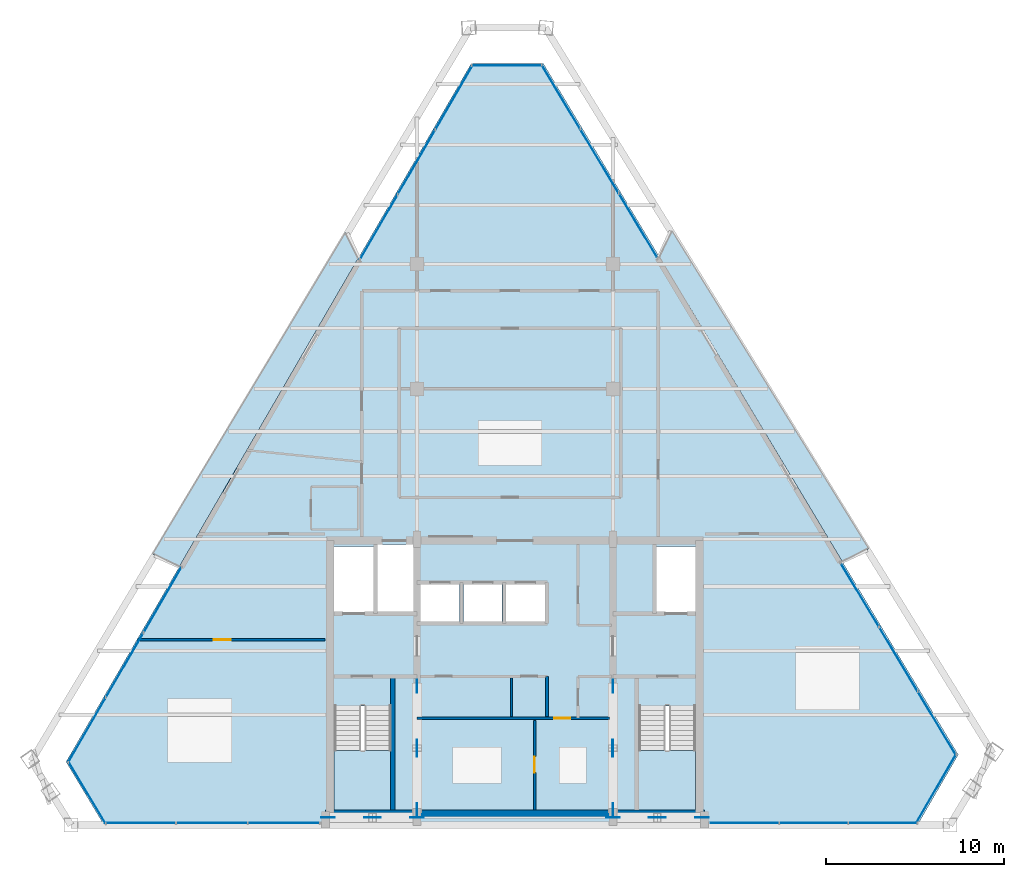
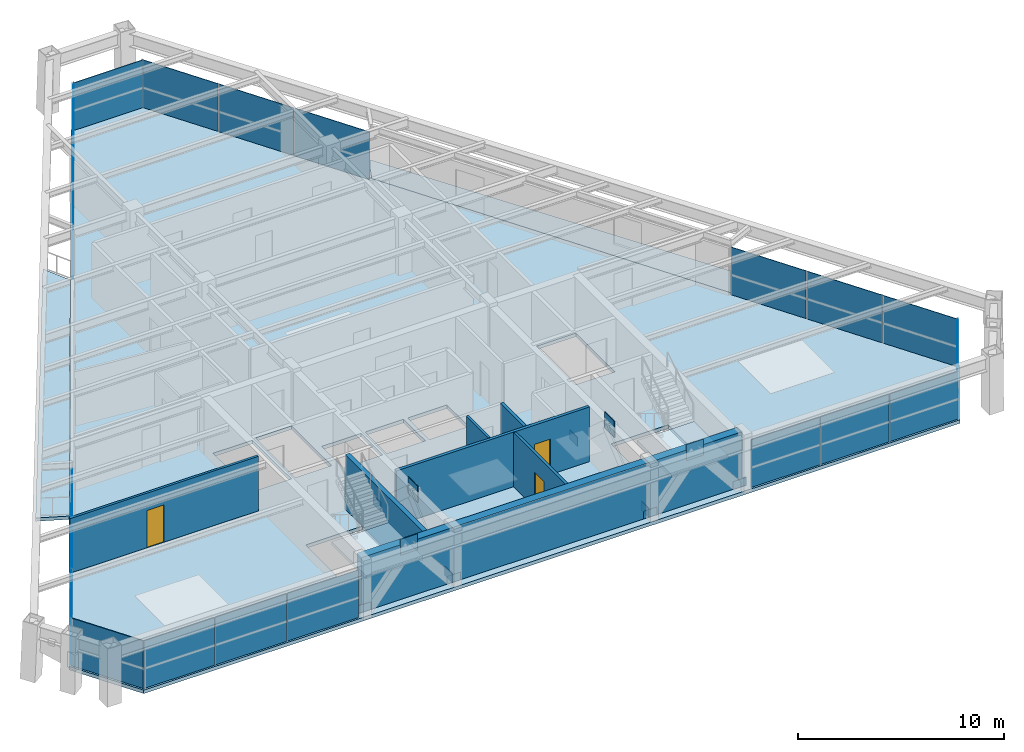
# One storey, part 8 of 13: 33 plates, 7 walls, 5 slabs, 3 doors, 3 openings, 11 elements without a shape of their own.
"""IFC4 building model written with IfcOpenShell, lengths in metres."""

from ifc_helpers import new_model, si_unit, direction, frame, frame_2d, origin, origin_2d, place, context, subcontext, project, spatial, polyline, rectangle, outline, extrude, source, transform, mapped, material, layer, layer_set, type_object, type_shapes, element, fill, aggregate, save


model = new_model("IFC4")

# Units and contexts
model_context = context("Model", 3, precision=1e-05, world=origin(), true_north=direction((0.0, 1.0)))
body_context = subcontext(model_context, "Body", "Model", "MODEL_VIEW")
ifc_project = project(units=[si_unit("LENGTHUNIT", "METRE"), si_unit("AREAUNIT", "SQUARE_METRE"), si_unit("VOLUMEUNIT", "CUBIC_METRE"), si_unit("PLANEANGLEUNIT", "RADIAN"), si_unit("MASSUNIT", "GRAM", prefix="KILO")], contexts=[model_context])

# Site, building, storey
site_placement = place(None, origin())
site = spatial("IfcSite", under=ifc_project, at=site_placement, CompositionType="ELEMENT")
building_placement = place(site_placement, origin())
building = spatial("IfcBuilding", under=site, at=building_placement, Name="Varnakhor Terracotta Tower", CompositionType="ELEMENT")
storey_placement = place(building_placement, frame((0.0, 0.0, 266.10009765625)))
storey = spatial("IfcBuildingStorey", under=building, at=storey_placement, Name="L69", CompositionType="ELEMENT", Elevation=266.10009765625)

# Slab
ifc_material_1 = material(Name="Concrete C40/50", Category="concrete")
ifc_layer_1 = layer(ifc_material_1, 0.2099609375, Name="Concrete C40/50")
ifc_layer_set_1 = layer_set([ifc_layer_1], Name="Concrete C40/50")
slab_type_1 = type_object("IfcSlabType", Name="SLB-HTL-210", PredefinedType="FLOOR", material=ifc_layer_set_1)
slab_1_placement = place(storey_placement, frame((0.0, 0.0, -0.210205078125)))
element("IfcSlab", 1, at=slab_1_placement, inside=storey, type_object=slab_type_1, Name="L69 Structural Floor Slab", PredefinedType="FLOOR", context=body_context, shape_type="SweptSolid", body=[
    extrude(outline(polyline([(-25.20703125, 3.552001953125), (-2.447021484375, 42.78125), (1.588623046875, 42.78125), (24.8974609375, 3.94873046875), (22.6064453125, 0.0), (-23.074951171875, 0.0), (-25.20703125, 3.552001953125)]), holes=[polyline([(-6.949951171875, 0.85009765625), (-6.949951171875, 6.695068359375), (-10.14990234375, 6.695068359375), (-10.14990234375, 0.85009765625), (-6.949951171875, 0.85009765625)]), polyline([(10.14990234375, 0.85009765625), (10.14990234375, 6.695068359375), (6.949951171875, 6.695068359375), (6.949951171875, 0.85009765625), (10.14990234375, 0.85009765625)]), polyline([(-3.10009765625, 11.419921875), (-3.10009765625, 13.52001953125), (-5.300048828125, 13.52001953125), (-5.300048828125, 11.419921875), (-3.10009765625, 11.419921875)]), polyline([(-0.719970703125, 11.419921875), (-0.719970703125, 13.52001953125), (-2.8798828125, 13.52001953125), (-2.8798828125, 11.419921875), (-0.719970703125, 11.419921875)]), polyline([(1.699951171875, 11.419921875), (1.699951171875, 13.52001953125), (-0.5, 13.52001953125), (-0.5, 11.419921875), (1.699951171875, 11.419921875)]), polyline([(-7.949951171875, 11.8798828125), (-7.949951171875, 15.64990234375), (-10.14990234375, 15.64990234375), (-10.14990234375, 11.8798828125), (-7.949951171875, 11.8798828125)]), polyline([(10.14990234375, 11.8798828125), (10.14990234375, 15.64990234375), (7.949951171875, 15.64990234375), (7.949951171875, 11.8798828125), (10.14990234375, 11.8798828125)]), polyline([(-5.699951171875, 11.8798828125), (-5.699951171875, 15.75), (-7.72998046875, 15.75), (-7.72998046875, 11.8798828125), (-5.699951171875, 11.8798828125)])]), origin(), (0.0, 0.0, 1.0), 0.210205078125),
])

# Stair, slab
stair_type = type_object("IfcStairType", Name="STR-CORE-HOTEL-1500", PredefinedType="HALF_TURN_STAIR", material=ifc_material_1)
stair_1_placement = place(storey_placement, origin())
stair_1 = element("IfcStair", 2, at=stair_1_placement, inside=storey, type_object=stair_type, Name="L69 Core Exit Stair ST-1", PredefinedType="HALF_TURN_STAIR")
ifc_layer_2 = layer(ifc_material_1, 0.179931640625, Name="Concrete C40/50")
ifc_layer_set_2 = layer_set([ifc_layer_2], Name="Concrete C40/50")
slab_type_2 = type_object("IfcSlabType", Name="SLB-LANDING-180", PredefinedType="LANDING", material=ifc_layer_set_2)
slab_2_placement = place(storey_placement, frame((0.0, 0.0, 1.52490234375)))
slab_2 = element("IfcSlab", 3, at=slab_2_placement, type_object=slab_type_2, Name="ST-1 landing 1", PredefinedType="LANDING", context=body_context, shape_type="SweptSolid", body=[
    extrude(outline(polyline([(-10.14990234375, 4.18994140625), (-10.14990234375, 0.85009765625), (-6.949951171875, 0.85009765625), (-6.949951171875, 4.18994140625), (-10.14990234375, 4.18994140625)])), origin(), (0.0, 0.0, 1.0), 0.199951171875),
])
aggregate(stair_1, [slab_2])

stair_2_placement = place(storey_placement, origin())
stair_2 = element("IfcStair", 4, at=stair_2_placement, inside=storey, type_object=stair_type, Name="L69 Core Exit Stair ST-2", PredefinedType="HALF_TURN_STAIR")
slab_3_placement = place(storey_placement, frame((0.0, 0.0, 1.52490234375)))
slab_3 = element("IfcSlab", 5, at=slab_3_placement, type_object=slab_type_2, Name="ST-2 landing 1", PredefinedType="LANDING", context=body_context, shape_type="SweptSolid", body=[
    extrude(outline(polyline([(6.949951171875, 4.18994140625), (6.949951171875, 0.85009765625), (10.14990234375, 0.85009765625), (10.14990234375, 4.18994140625), (6.949951171875, 4.18994140625)])), origin(), (0.0, 0.0, 1.0), 0.199951171875),
])
aggregate(stair_2, [slab_3])

# Slabs
ifc_layer_3 = layer(ifc_material_1, 0.195068359375, Name="Concrete C40/50")
ifc_layer_set_3 = layer_set([ifc_layer_3], Name="Concrete C40/50")
slab_type_3 = type_object("IfcSlabType", Name="SLB-LOGGIA-EXT-195", PredefinedType="FLOOR", material=ifc_layer_set_3)
slab_4_placement = place(storey_placement, frame((0.0, 0.0, -0.195068359375)))
element("IfcSlab", 6, at=slab_4_placement, inside=storey, type_object=slab_type_3, Name="L69 E Recessed Outdoor Loggia Slab", PredefinedType="FLOOR", context=body_context, shape_type="SweptSolid", body=[
    extrude(outline(polyline([(8.795654296875, 33.39306640625), (19.865234375, 15.51171875), (18.37109375, 14.822021484375), (8.115234375, 31.908203125), (8.795654296875, 33.39306640625)])), origin(), (0.0, 0.0, 1.0), 0.195068359375),
])
slab_5_placement = place(storey_placement, frame((0.0, 0.0, -0.195068359375)))
element("IfcSlab", 7, at=slab_5_placement, inside=storey, type_object=slab_type_3, Name="L69 W Recessed Outdoor Loggia Slab", PredefinedType="FLOOR", context=body_context, shape_type="SweptSolid", body=[
    extrude(outline(polyline([(-20.342041015625, 15.212646484375), (-9.505615234375, 33.27685546875), (-8.81982421875, 31.797119140625), (-18.834228515625, 14.5361328125), (-20.342041015625, 15.212646484375)])), origin(), (0.0, 0.0, 1.0), 0.195068359375),
])

# Plates
ifc_material_2 = material(Name="Steel S460", Category="steel")
ifc_layer_4 = layer(ifc_material_2, 0.050048828125, Name="Steel S460")
ifc_layer_set_4 = layer_set([ifc_layer_4], Name="Steel S460")
plate_type_1 = type_object("IfcPlateType", Name="PLT-GUSSET-50", PredefinedType="USERDEFINED", material=ifc_layer_set_4)
shared_shape_1 = source(origin(), body_context, "Body", "SweptSolid", [
    extrude(rectangle(XDim=0.75, YDim=0.0400390625, at=origin_2d()), origin(), (0.0, 0.0, 1.0), 0.550048828125),
])
type_shapes(plate_type_1, [shared_shape_1])
for number, where, z_axis, x_axis, name in (
    (8, (-10.5, 0.419921875, -0.09521484375), (0.0, 0.0, 1.0), (1.0, 0.0, 0.0), "L69 Core Brace Embed Plate CSWA"),
    (9, (-5.5, 0.419921875, -0.09521484375), (0.0, 0.0, 1.0), (1.0, 0.0, 0.0), "L69 Core Brace Embed Plate CSWB"),
    (10, (5.5, 0.419921875, -0.09521484375), (0.0, 0.0, 1.0), (1.0, 0.0, 0.0), "L69 Core Brace Embed Plate CSEA"),
    (11, (10.5, 0.419921875, -0.09521484375), (0.0, 0.0, 1.0), (1.0, 0.0, 0.0), "L69 Core Brace Embed Plate CSEB"),
    (12, (-5.5, 0.85009765625, -0.09521484375), (0.0, 0.0, 1.0), (0.0, 1.0, 0.0), "L69 Core Brace Embed Plate CWWA"),
    (13, (-5.5, 7.800048828125, -0.09521484375), (0.0, 0.0, 1.0), (0.0, 1.0, 0.0), "L69 Core Brace Embed Plate CWWB"),
    (14, (5.5, 0.85009765625, -0.09521484375), (0.0, 0.0, 1.0), (0.0, 1.0, 0.0), "L69 Core Brace Embed Plate CWEA"),
    (15, (5.5, 7.800048828125, -0.09521484375), (0.0, 0.0, 1.0), (0.0, 1.0, 0.0), "L69 Core Brace Embed Plate CWEB"),
):
    element("IfcPlate", number, at=place(storey_placement, frame(where, z_axis=z_axis, x_axis=x_axis)), inside=storey, type_object=plate_type_1, Name=name, ObjectType="GUSSET PLATE", PredefinedType="USERDEFINED", context=body_context, shape_type="MappedRepresentation", body=[
        mapped(shared_shape_1, transform((0.0, 0.0, 0.0), scale=1.0)),
    ])
shared_shape_2 = source(origin(), body_context, "Body", "SweptSolid", [
    extrude(rectangle(XDim=0.949951171875, YDim=0.044921875, at=origin_2d()), origin(), (0.0, 0.0, 1.0), 0.949951171875),
])
for number, where, z_axis, x_axis, name in (
    (16, (-8.0, 0.419921875, 2.61474609375), (0.0, 0.0, 1.0), (1.0, 0.0, 0.0), "L69 Core Brace Apex Gusset CSW"),
    (17, (8.0, 0.419921875, 2.61474609375), (0.0, 0.0, 1.0), (1.0, 0.0, 0.0), "L69 Core Brace Apex Gusset CSE"),
    (18, (-5.5, 4.324951171875, 2.61474609375), (0.0, 0.0, 1.0), (0.0, 1.0, 0.0), "L69 Core Brace Apex Gusset CWW"),
    (19, (5.5, 4.324951171875, 2.61474609375), (0.0, 0.0, 1.0), (0.0, 1.0, 0.0), "L69 Core Brace Apex Gusset CWE"),
):
    element("IfcPlate", number, at=place(storey_placement, frame(where, z_axis=z_axis, x_axis=x_axis)), inside=storey, type_object=plate_type_1, Name=name, ObjectType="GUSSET PLATE", PredefinedType="USERDEFINED", context=body_context, shape_type="MappedRepresentation", body=[
        mapped(shared_shape_2, transform((0.0, 0.0, 0.0), scale=1.0)),
    ])

# Curtain wall, plates
ifc_material_3 = material(Name="Anodised Aluminium Curtain Wall System", Category="aluminium")
curtain_wall_type = type_object("IfcCurtainWallType", Name="CW-SYS-HOTEL-LOGGIA", PredefinedType="NOTDEFINED", material=ifc_material_3)
curtain_wall_1_placement = place(storey_placement, origin())
curtain_wall_1 = element("IfcCurtainWall", 20, at=curtain_wall_1_placement, inside=storey, type_object=curtain_wall_type, Name="L69 W Facet Curtain Wall 1", PredefinedType="NOTDEFINED")
ifc_material_4 = material(Name="Solar-Control Low-E Insulated Glass Panel", Category="glass")
ifc_layer_5 = layer(ifc_material_4, 0.033935546875, Name="Solar-Control Low-E Insulated Glass Panel")
ifc_layer_set_5 = layer_set([ifc_layer_5], Name="Solar-Control Low-E Insulated Glass Panel")
plate_type_2 = type_object("IfcPlateType", Name="CWP-04", PredefinedType="CURTAIN_PANEL", material=ifc_layer_set_5)
shared_shape_3 = source(origin(), body_context, "Body", "SweptSolid", [
    extrude(rectangle(XDim=4.173095703125, YDim=0.035888671875, at=origin_2d()), origin(), (0.0, 0.0, 1.0), 2.820068359375),
])
plate_1_placement = place(storey_placement, frame((-24.031005859375, 5.33984375, 0.0), z_axis=(0.0, 0.0, 1.0), x_axis=(0.501842894479, 0.864958790499, 0.0)))
plate_1 = element("IfcPlate", 21, at=plate_1_placement, type_object=plate_type_2, Name="L69 W Facet Curtain Wall 1 Glazed Panel 1", PredefinedType="CURTAIN_PANEL", context=body_context, shape_type="MappedRepresentation", body=[
    mapped(shared_shape_3, transform((0.0, 0.0, 0.0), scale=1.0)),
])
plate_2_placement = place(storey_placement, frame((-21.916748046875, 8.98388671875, 0.0), z_axis=(0.0, 0.0, 1.0), x_axis=(0.501842894479, 0.864958790499, 0.0)))
plate_2 = element("IfcPlate", 22, at=plate_2_placement, type_object=plate_type_2, Name="L69 W Facet Curtain Wall 1 Glazed Panel 2", PredefinedType="CURTAIN_PANEL", context=body_context, shape_type="MappedRepresentation", body=[
    mapped(shared_shape_3, transform((0.0, 0.0, 0.0), scale=1.0)),
])
plate_3_placement = place(storey_placement, frame((-19.802490234375, 12.6279296875, 0.0), z_axis=(0.0, 0.0, 1.0), x_axis=(0.501842894479, 0.864958790499, 0.0)))
plate_3 = element("IfcPlate", 23, at=plate_3_placement, type_object=plate_type_2, Name="L69 W Facet Curtain Wall 1 Glazed Panel 3", PredefinedType="CURTAIN_PANEL", context=body_context, shape_type="MappedRepresentation", body=[
    mapped(shared_shape_3, transform((0.0, 0.0, 0.0), scale=1.0)),
])
aggregate(curtain_wall_1, [plate_1, plate_2, plate_3])

curtain_wall_2_placement = place(storey_placement, origin())
curtain_wall_2 = element("IfcCurtainWall", 24, at=curtain_wall_2_placement, inside=storey, type_object=curtain_wall_type, Name="L69 W Facet Curtain Wall 2", PredefinedType="NOTDEFINED")
plate_4_placement = place(storey_placement, frame((-7.643798828125, 33.5849609375, 0.0), z_axis=(0.0, 0.0, 1.0), x_axis=(0.501842894479, 0.864958790499, 0.0)))
plate_4 = element("IfcPlate", 25, at=plate_4_placement, type_object=plate_type_2, Name="L69 W Facet Curtain Wall 2 Glazed Panel 1", PredefinedType="CURTAIN_PANEL", context=body_context, shape_type="MappedRepresentation", body=[
    mapped(shared_shape_3, transform((0.0, 0.0, 0.0), scale=1.0)),
])
plate_5_placement = place(storey_placement, frame((-3.415283203125, 40.873046875, 0.0), z_axis=(0.0, 0.0, 1.0), x_axis=(0.501842894479, 0.864958790499, 0.0)))
plate_5 = element("IfcPlate", 26, at=plate_5_placement, type_object=plate_type_2, Name="L69 W Facet Curtain Wall 2 Glazed Panel 3", PredefinedType="CURTAIN_PANEL", context=body_context, shape_type="MappedRepresentation", body=[
    mapped(shared_shape_3, transform((0.0, 0.0, 0.0), scale=1.0)),
])
shared_shape_4 = source(origin(), body_context, "Body", "SweptSolid", [
    extrude(rectangle(XDim=4.1728515625, YDim=0.035888671875, at=origin_2d()), origin(), (0.0, 0.0, 1.0), 2.820068359375),
])
plate_6_placement = place(storey_placement, frame((-5.529541015625, 37.22900390625, 0.0), z_axis=(0.0, 0.0, 1.0), x_axis=(0.501842894479, 0.864958790499, 0.0)))
plate_6 = element("IfcPlate", 27, at=plate_6_placement, type_object=plate_type_2, Name="L69 W Facet Curtain Wall 2 Glazed Panel 2", PredefinedType="CURTAIN_PANEL", context=body_context, shape_type="MappedRepresentation", body=[
    mapped(shared_shape_4, transform((0.0, 0.0, 0.0), scale=1.0)),
])
aggregate(curtain_wall_2, [plate_4, plate_6, plate_5])

# Curtain wall, plate
curtain_wall_3_placement = place(storey_placement, origin())
curtain_wall_3 = element("IfcCurtainWall", 28, at=curtain_wall_3_placement, inside=storey, type_object=curtain_wall_type, Name="L69 Facet Curtain Wall 2", PredefinedType="NOTDEFINED")
shared_shape_5 = source(origin(), body_context, "Body", "SweptSolid", [
    extrude(rectangle(XDim=3.935791015625, YDim=0.035888671875, at=origin_2d()), origin(), (0.0, 0.0, 1.0), 2.820068359375),
])
plate_7_placement = place(storey_placement, frame((-0.42919921875, 42.6611328125, 0.0), z_axis=(0.0, 0.0, 1.0), x_axis=(1.0, 0.0, 0.0)))
plate_7 = element("IfcPlate", 29, at=plate_7_placement, type_object=plate_type_2, Name="L69 Facet Curtain Wall 2 Glazed Panel 1", PredefinedType="CURTAIN_PANEL", context=body_context, shape_type="MappedRepresentation", body=[
    mapped(shared_shape_5, transform((0.0, 0.0, 0.0), scale=1.0)),
])
aggregate(curtain_wall_3, [plate_7])

# Curtain wall, plates
curtain_wall_4_placement = place(storey_placement, origin())
curtain_wall_4 = element("IfcCurtainWall", 30, at=curtain_wall_4_placement, inside=storey, type_object=curtain_wall_type, Name="L69 E Facet Curtain Wall 1", PredefinedType="NOTDEFINED")
shared_shape_6 = source(origin(), body_context, "Body", "SweptSolid", [
    extrude(rectangle(XDim=4.1669921875, YDim=0.035888671875, at=origin_2d()), origin(), (0.0, 0.0, 1.0), 2.820068359375),
])
plate_8_placement = place(storey_placement, frame((2.583740234375, 40.89013671875, 0.0), z_axis=(0.0, 0.0, 1.0), x_axis=(0.514649051712, -0.857400929304, 0.0)))
plate_8 = element("IfcPlate", 31, at=plate_8_placement, type_object=plate_type_2, Name="L69 E Facet Curtain Wall 1 Glazed Panel 1", PredefinedType="CURTAIN_PANEL", context=body_context, shape_type="MappedRepresentation", body=[
    mapped(shared_shape_6, transform((0.0, 0.0, 0.0), scale=1.0)),
])
plate_9_placement = place(storey_placement, frame((4.7490234375, 37.282958984375, 0.0), z_axis=(0.0, 0.0, 1.0), x_axis=(0.514649051712, -0.857400929304, 0.0)))
plate_9 = element("IfcPlate", 32, at=plate_9_placement, type_object=plate_type_2, Name="L69 E Facet Curtain Wall 1 Glazed Panel 2", PredefinedType="CURTAIN_PANEL", context=body_context, shape_type="MappedRepresentation", body=[
    mapped(shared_shape_6, transform((0.0, 0.0, 0.0), scale=1.0)),
])
plate_10_placement = place(storey_placement, frame((6.914306640625, 33.67578125, 0.0), z_axis=(0.0, 0.0, 1.0), x_axis=(0.514649051712, -0.857400929304, 0.0)))
plate_10 = element("IfcPlate", 33, at=plate_10_placement, type_object=plate_type_2, Name="L69 E Facet Curtain Wall 1 Glazed Panel 3", PredefinedType="CURTAIN_PANEL", context=body_context, shape_type="MappedRepresentation", body=[
    mapped(shared_shape_6, transform((0.0, 0.0, 0.0), scale=1.0)),
])
aggregate(curtain_wall_4, [plate_8, plate_9, plate_10])

curtain_wall_5_placement = place(storey_placement, origin())
curtain_wall_5 = element("IfcCurtainWall", 34, at=curtain_wall_5_placement, inside=storey, type_object=curtain_wall_type, Name="L69 E Facet Curtain Wall 2", PredefinedType="NOTDEFINED")
plate_11_placement = place(storey_placement, frame((19.3662109375, 12.930908203125, 0.0), z_axis=(0.0, 0.0, 1.0), x_axis=(0.514649051712, -0.857400929304, 0.0)))
plate_11 = element("IfcPlate", 35, at=plate_11_placement, type_object=plate_type_2, Name="L69 E Facet Curtain Wall 2 Glazed Panel 1", PredefinedType="CURTAIN_PANEL", context=body_context, shape_type="MappedRepresentation", body=[
    mapped(shared_shape_6, transform((0.0, 0.0, 0.0), scale=1.0)),
])
plate_12_placement = place(storey_placement, frame((21.531494140625, 9.323486328125, 0.0), z_axis=(0.0, 0.0, 1.0), x_axis=(0.514649051712, -0.857400929304, 0.0)))
plate_12 = element("IfcPlate", 36, at=plate_12_placement, type_object=plate_type_2, Name="L69 E Facet Curtain Wall 2 Glazed Panel 2", PredefinedType="CURTAIN_PANEL", context=body_context, shape_type="MappedRepresentation", body=[
    mapped(shared_shape_6, transform((0.0, 0.0, 0.0), scale=1.0)),
])
plate_13_placement = place(storey_placement, frame((23.696533203125, 5.71630859375, 0.0), z_axis=(0.0, 0.0, 1.0), x_axis=(0.514649051712, -0.857400929304, 0.0)))
plate_13 = element("IfcPlate", 37, at=plate_13_placement, type_object=plate_type_2, Name="L69 E Facet Curtain Wall 2 Glazed Panel 3", PredefinedType="CURTAIN_PANEL", context=body_context, shape_type="MappedRepresentation", body=[
    mapped(shared_shape_6, transform((0.0, 0.0, 0.0), scale=1.0)),
])
aggregate(curtain_wall_5, [plate_11, plate_12, plate_13])

# Curtain wall, plate
curtain_wall_6_placement = place(storey_placement, origin())
curtain_wall_6 = element("IfcCurtainWall", 38, at=curtain_wall_6_placement, inside=storey, type_object=curtain_wall_type, Name="L69 Facet Curtain Wall 4", PredefinedType="NOTDEFINED")
shared_shape_7 = source(origin(), body_context, "Body", "SweptSolid", [
    extrude(rectangle(XDim=4.465087890625, YDim=0.035888671875, at=origin_2d()), origin(), (0.0, 0.0, 1.0), 2.820068359375),
])
plate_14_placement = place(storey_placement, frame((23.648193359375, 2.03466796875, 0.0), z_axis=(0.0, 0.0, 1.0), x_axis=(-0.501827798024, -0.864967549178, 0.0)))
plate_14 = element("IfcPlate", 39, at=plate_14_placement, type_object=plate_type_2, Name="L69 Facet Curtain Wall 4 Glazed Panel 1", PredefinedType="CURTAIN_PANEL", context=body_context, shape_type="MappedRepresentation", body=[
    mapped(shared_shape_7, transform((0.0, 0.0, 0.0), scale=1.0)),
])
aggregate(curtain_wall_6, [plate_14])

# Curtain wall, plates
curtain_wall_7_placement = place(storey_placement, origin())
curtain_wall_7 = element("IfcCurtainWall", 40, at=curtain_wall_7_placement, inside=storey, type_object=curtain_wall_type, Name="L69 South Wing Curtain Wall SSE", PredefinedType="NOTDEFINED")
shared_shape_8 = source(origin(), body_context, "Body", "SweptSolid", [
    extrude(rectangle(XDim=3.83544921875, YDim=0.035888671875, at=origin_2d()), origin(), (0.0, 0.0, 1.0), 2.820068359375),
])
plate_15_placement = place(storey_placement, frame((20.65869140625, 0.1201171875, 0.0), z_axis=(0.0, 0.0, 1.0), x_axis=(-1.0, 0.0, 0.0)))
plate_15 = element("IfcPlate", 41, at=plate_15_placement, type_object=plate_type_2, Name="L69 South Wing Curtain Wall SSE Glazed Panel 1", PredefinedType="CURTAIN_PANEL", context=body_context, shape_type="MappedRepresentation", body=[
    mapped(shared_shape_8, transform((0.0, 0.0, 0.0), scale=1.0)),
])
plate_16_placement = place(storey_placement, frame((16.783203125, 0.1201171875, 0.0), z_axis=(0.0, 0.0, 1.0), x_axis=(-1.0, 0.0, 0.0)))
plate_16 = element("IfcPlate", 42, at=plate_16_placement, type_object=plate_type_2, Name="L69 South Wing Curtain Wall SSE Glazed Panel 2", PredefinedType="CURTAIN_PANEL", context=body_context, shape_type="MappedRepresentation", body=[
    mapped(shared_shape_8, transform((0.0, 0.0, 0.0), scale=1.0)),
])
plate_17_placement = place(storey_placement, frame((12.90771484375, 0.1201171875, 0.0), z_axis=(0.0, 0.0, 1.0), x_axis=(-1.0, 0.0, 0.0)))
plate_17 = element("IfcPlate", 43, at=plate_17_placement, type_object=plate_type_2, Name="L69 South Wing Curtain Wall SSE Glazed Panel 3", PredefinedType="CURTAIN_PANEL", context=body_context, shape_type="MappedRepresentation", body=[
    mapped(shared_shape_8, transform((0.0, 0.0, 0.0), scale=1.0)),
])
aggregate(curtain_wall_7, [plate_15, plate_16, plate_17])

curtain_wall_8_placement = place(storey_placement, origin())
curtain_wall_8 = element("IfcCurtainWall", 44, at=curtain_wall_8_placement, inside=storey, type_object=curtain_wall_type, Name="L69 South Wing Curtain Wall SSW", PredefinedType="NOTDEFINED")
shared_shape_9 = source(origin(), body_context, "Body", "SweptSolid", [
    extrude(rectangle(XDim=3.99169921875, YDim=0.035888671875, at=origin_2d()), origin(), (0.0, 0.0, 1.0), 2.820068359375),
])
plate_18_placement = place(storey_placement, frame((-12.98583984375, 0.1201171875, 0.0), z_axis=(0.0, 0.0, 1.0), x_axis=(-1.0, 0.0, 0.0)))
plate_18 = element("IfcPlate", 45, at=plate_18_placement, type_object=plate_type_2, Name="L69 South Wing Curtain Wall SSW Glazed Panel 1", PredefinedType="CURTAIN_PANEL", context=body_context, shape_type="MappedRepresentation", body=[
    mapped(shared_shape_9, transform((0.0, 0.0, 0.0), scale=1.0)),
])
plate_19_placement = place(storey_placement, frame((-17.017578125, 0.1201171875, 0.0), z_axis=(0.0, 0.0, 1.0), x_axis=(-1.0, 0.0, 0.0)))
plate_19 = element("IfcPlate", 46, at=plate_19_placement, type_object=plate_type_2, Name="L69 South Wing Curtain Wall SSW Glazed Panel 2", PredefinedType="CURTAIN_PANEL", context=body_context, shape_type="MappedRepresentation", body=[
    mapped(shared_shape_9, transform((0.0, 0.0, 0.0), scale=1.0)),
])
plate_20_placement = place(storey_placement, frame((-21.049072265625, 0.1201171875, 0.0), z_axis=(0.0, 0.0, 1.0), x_axis=(-1.0, 0.0, 0.0)))
plate_20 = element("IfcPlate", 47, at=plate_20_placement, type_object=plate_type_2, Name="L69 South Wing Curtain Wall SSW Glazed Panel 3", PredefinedType="CURTAIN_PANEL", context=body_context, shape_type="MappedRepresentation", body=[
    mapped(shared_shape_9, transform((0.0, 0.0, 0.0), scale=1.0)),
])
aggregate(curtain_wall_8, [plate_18, plate_19, plate_20])

# Curtain wall, plate
curtain_wall_9_placement = place(storey_placement, origin())
curtain_wall_9 = element("IfcCurtainWall", 48, at=curtain_wall_9_placement, inside=storey, type_object=curtain_wall_type, Name="L69 Facet Curtain Wall 6", PredefinedType="NOTDEFINED")
shared_shape_10 = source(origin(), body_context, "Body", "SweptSolid", [
    extrude(rectangle(XDim=4.042724609375, YDim=0.035888671875, at=origin_2d()), origin(), (0.0, 0.0, 1.0), 2.820068359375),
])
plate_21_placement = place(storey_placement, frame((-24.0380859375, 1.837890625, 0.0), z_axis=(0.0, 0.0, 1.0), x_axis=(-0.514649051712, 0.857400929304, 0.0)))
plate_21 = element("IfcPlate", 49, at=plate_21_placement, type_object=plate_type_2, Name="L69 Facet Curtain Wall 6 Glazed Panel 1", PredefinedType="CURTAIN_PANEL", context=body_context, shape_type="MappedRepresentation", body=[
    mapped(shared_shape_10, transform((0.0, 0.0, 0.0), scale=1.0)),
])
aggregate(curtain_wall_9, [plate_21])

# Wall
ifc_material_5 = material(Name="Concrete C50/60", Category="concrete")
ifc_layer_6 = layer(ifc_material_5, 0.449951171875, Name="Concrete C50/60")
ifc_layer_set_6 = layer_set([ifc_layer_6], Name="Concrete C50/60")
wall_type_1 = type_object("IfcWallType", Name="WAL-CORE-450", PredefinedType="SHEAR", material=ifc_layer_set_6)
wall_1_placement = place(storey_placement, frame((-10.64990234375, 0.625, 0.0), z_axis=(0.0, 0.0, 1.0), x_axis=(1.0, 0.0, 0.0)))
element("IfcWall", 50, at=wall_1_placement, inside=storey, type_object=wall_type_1, Name="L69 South Core Shear Wall", PredefinedType="SHEAR", context=body_context, shape_type="SweptSolid", body=[
    extrude(rectangle(XDim=21.2998046875, YDim=0.449951171875, at=frame_2d((10.64990234375, 0.0))), origin(), (0.0, 0.0, 1.0), 3.239990234375),
])

# Wall, opening, door
ifc_material_6 = material(Name="Acoustic Hotel Room Partition", Category="gypsum")
ifc_layer_7 = layer(ifc_material_6, 0.1298828125, Name="Acoustic Hotel Room Partition")
ifc_layer_set_7 = layer_set([ifc_layer_7], Name="Acoustic Hotel Room Partition")
wall_type_2 = type_object("IfcWallType", Name="WAL-PART-130", PredefinedType="PARTITIONING", material=ifc_layer_set_7)
wall_2_placement = place(storey_placement, frame((-21.222412109375, 10.39990234375, 0.0), z_axis=(0.0, 0.0, 1.0), x_axis=(1.0, 0.0, 0.0)))
wall_2 = element("IfcWall", 51, at=wall_2_placement, inside=storey, type_object=wall_type_2, Name="L69 SW Key Split 1", PredefinedType="PARTITIONING", context=body_context, shape_type="SweptSolid", body=[
    extrude(rectangle(XDim=10.54248046875, YDim=0.1298828125, at=frame_2d((5.271240234375, 0.0))), origin(), (0.0, 0.0, 1.0), 3.23193359375),
])
opening_1_placement = place(wall_2_placement, frame((4.302978515625, 0.0, 0.0)))
opening_1 = element("IfcOpeningElement", 52, at=opening_1_placement, cuts=wall_2, Name="Opening DR-94", PredefinedType="OPENING", context=body_context, shape_type="SweptSolid", body=[
    extrude(rectangle(XDim=0.949951171875, YDim=2.199951171875, at=frame_2d((0.47509765625, 1.10009765625))), frame((0.0, 0.074951171875, 0.0), z_axis=(0.0, -1.0, 0.0), x_axis=(1.0, 0.0, 0.0)), (0.0, 0.0, 1.0), 0.14990234375),
])
ifc_material_7 = material(Name="Acoustic Glazed-Vision Timber Office Door", Category="wood")
door_type_1 = type_object("IfcDoorType", Name="DR-OFF-950X2200", OperationType="NOTDEFINED", PredefinedType="DOOR", material=ifc_material_7)
shared_shape_11 = source(origin(), body_context, "Body", "SweptSolid", [
    extrude(rectangle(XDim=0.949951171875, YDim=2.199951171875, at=frame_2d((0.47509765625, 1.10009765625))), frame((0.0, 0.02490234375, 0.0), z_axis=(0.0, -1.0, 0.0), x_axis=(1.0, 0.0, 0.0)), (0.0, 0.0, 1.0), 0.050048828125),
])
type_shapes(door_type_1, [shared_shape_11])
door_1_placement = place(opening_1_placement, origin())
door_1 = element("IfcDoor", 53, at=door_1_placement, inside=storey, type_object=door_type_1, Name="L69 SW Suite Connect Door 1", OperationType="SINGLE_SWING_RIGHT", OverallHeight=2.199951171875, OverallWidth=0.949951171875, PredefinedType="DOOR", context=body_context, shape_type="MappedRepresentation", body=[
    mapped(shared_shape_11, transform((0.0, 0.0, 0.0), scale=1.0)),
])
fill(opening_1, door_1)

# Walls
ifc_layer_8 = layer(ifc_material_1, 0.25, Name="Concrete C40/50")
ifc_layer_set_8 = layer_set([ifc_layer_8], Name="Concrete C40/50")
wall_type_3 = type_object("IfcWallType", Name="WAL-SHAFT-250", PredefinedType="SOLIDWALL", material=ifc_layer_set_8)
wall_3_placement = place(storey_placement, frame((-6.85009765625, 0.85009765625, 0.0), z_axis=(0.0, 0.0, 1.0), x_axis=(0.0, 1.0, 0.0)))
element("IfcWall", 54, at=wall_3_placement, inside=storey, type_object=wall_type_3, Name="L69 Stair ST-1 Bearing Shaft Wall", PredefinedType="SOLIDWALL", context=body_context, shape_type="SweptSolid", body=[
    extrude(rectangle(XDim=7.5, YDim=0.25, at=frame_2d((3.75, 0.0))), origin(), (0.0, 0.0, 1.0), 3.239990234375),
])
ifc_material_8 = material(Name="Acoustic Fire-Rated Partition", Category="gypsum")
ifc_layer_9 = layer(ifc_material_8, 0.114990234375, Name="Acoustic Fire-Rated Partition")
ifc_layer_set_9 = layer_set([ifc_layer_9], Name="Acoustic Fire-Rated Partition")
wall_type_4 = type_object("IfcWallType", Name="WAL-TENANCY-115", PredefinedType="PARTITIONING", material=ifc_layer_set_9)
wall_4_placement = place(storey_placement, frame((-0.199951171875, 6.10009765625, 0.0), z_axis=(0.0, 0.0, 1.0), x_axis=(0.0, 1.0, 0.0)))
element("IfcWall", 55, at=wall_4_placement, inside=storey, type_object=wall_type_4, Name="L69 Reclaimed Mid-Core Split Wall", PredefinedType="PARTITIONING", context=body_context, shape_type="SweptSolid", body=[
    extrude(rectangle(XDim=2.14990234375, YDim=0.114990234375, at=frame_2d((1.074951171875, 0.0))), origin(), (0.0, 0.0, 1.0), 3.23193359375),
])

# Wall, opening, door
ifc_layer_10 = layer(ifc_material_8, 0.139892578125, Name="Acoustic Fire-Rated Partition")
ifc_layer_set_10 = layer_set([ifc_layer_10], Name="Acoustic Fire-Rated Partition")
wall_type_5 = type_object("IfcWallType", Name="WAL-TENANCY-140", PredefinedType="PARTITIONING", material=ifc_layer_set_10)
wall_5_placement = place(storey_placement, frame((1.10009765625, 0.85009765625, 0.0), z_axis=(0.0, 0.0, 1.0), x_axis=(0.0, 1.0, 0.0)))
wall_5 = element("IfcWall", 56, at=wall_5_placement, inside=storey, type_object=wall_type_5, Name="L69 Reclaimed Core Bay Split Wall", PredefinedType="PARTITIONING", context=body_context, shape_type="SweptSolid", body=[
    extrude(rectangle(XDim=5.02978515625, YDim=0.139892578125, at=frame_2d((2.514892578125, 0.0))), origin(), (0.0, 0.0, 1.0), 3.23193359375),
])
opening_2_placement = place(wall_5_placement, frame((2.10009765625, 0.0, 0.0)))
opening_2 = element("IfcOpeningElement", 57, at=opening_2_placement, cuts=wall_5, Name="Opening DR-67", PredefinedType="OPENING", context=body_context, shape_type="SweptSolid", body=[
    extrude(rectangle(XDim=0.89990234375, YDim=2.10009765625, at=frame_2d((0.449951171875, 1.050048828125))), frame((0.0, 0.080078125, 0.0), z_axis=(0.0, -1.0, 0.0), x_axis=(1.0, 0.0, 0.0)), (0.0, 0.0, 1.0), 0.159912109375),
])
ifc_material_9 = material(Name="Steel Service Riser Fire Door", Category="steel")
door_type_2 = type_object("IfcDoorType", Name="DR-RISER-900X2100", OperationType="NOTDEFINED", PredefinedType="DOOR", material=ifc_material_9)
shared_shape_12 = source(origin(), body_context, "Body", "SweptSolid", [
    extrude(rectangle(XDim=0.89990234375, YDim=2.10009765625, at=frame_2d((0.449951171875, 1.050048828125))), frame((0.0, 0.02490234375, 0.0), z_axis=(0.0, -1.0, 0.0), x_axis=(1.0, 0.0, 0.0)), (0.0, 0.0, 1.0), 0.050048828125),
])
type_shapes(door_type_2, [shared_shape_12])
door_2_placement = place(opening_2_placement, origin())
door_2 = element("IfcDoor", 58, at=door_2_placement, inside=storey, type_object=door_type_2, Name="L69 Core Inner Service Door", OperationType="SINGLE_SWING_LEFT", OverallHeight=2.10009765625, OverallWidth=0.89990234375, PredefinedType="DOOR", context=body_context, shape_type="MappedRepresentation", body=[
    mapped(shared_shape_12, transform((0.0, 0.0, 0.0), scale=1.0)),
])
fill(opening_2, door_2)

ifc_layer_11 = layer(ifc_material_8, 0.1650390625, Name="Acoustic Fire-Rated Partition")
ifc_layer_set_11 = layer_set([ifc_layer_11], Name="Acoustic Fire-Rated Partition")
wall_type_6 = type_object("IfcWallType", Name="WAL-TENANCY-165", PredefinedType="PARTITIONING", material=ifc_layer_set_11)
wall_6_placement = place(storey_placement, frame((-5.5, 6.0, 0.0), z_axis=(0.0, 0.0, 1.0), x_axis=(1.0, 0.0, 0.0)))
wall_6 = element("IfcWall", 59, at=wall_6_placement, inside=storey, type_object=wall_type_6, Name="L69 Reclaimed Core Bay North Rated Wall", PredefinedType="PARTITIONING", context=body_context, shape_type="SweptSolid", body=[
    extrude(rectangle(XDim=10.800048828125, YDim=0.1650390625, at=frame_2d((5.39990234375, 0.0))), origin(), (0.0, 0.0, 1.0), 3.23193359375),
])
opening_3_placement = place(wall_6_placement, frame((7.699951171875, 0.0, 0.0)))
opening_3 = element("IfcOpeningElement", 60, at=opening_3_placement, cuts=wall_6, Name="Opening DR-67", PredefinedType="OPENING", context=body_context, shape_type="SweptSolid", body=[
    extrude(rectangle(XDim=0.89990234375, YDim=2.10009765625, at=frame_2d((0.449951171875, 1.050048828125))), frame((0.0, 0.092529296875, 0.0), z_axis=(0.0, -1.0, 0.0), x_axis=(1.0, 0.0, 0.0)), (0.0, 0.0, 1.0), 0.18505859375),
])
door_3_placement = place(opening_3_placement, origin())
door_3 = element("IfcDoor", 61, at=door_3_placement, inside=storey, type_object=door_type_2, Name="L69 Core Reclaimed Suite Door", OperationType="SINGLE_SWING_RIGHT", OverallHeight=2.10009765625, OverallWidth=0.89990234375, PredefinedType="DOOR", context=body_context, shape_type="MappedRepresentation", body=[
    mapped(shared_shape_12, transform((0.0, 0.0, 0.0), scale=1.0)),
])
fill(opening_3, door_3)

# Wall
wall_7_placement = place(storey_placement, frame((1.800048828125, 6.10009765625, 0.0), z_axis=(0.0, 0.0, 1.0), x_axis=(0.0, 1.0, 0.0)))
element("IfcWall", 62, at=wall_7_placement, inside=storey, type_object=wall_type_6, Name="L69 Reclaimed Mid-Core East Wall", PredefinedType="PARTITIONING", context=body_context, shape_type="SweptSolid", body=[
    extrude(rectangle(XDim=2.25, YDim=0.1650390625, at=frame_2d((1.125, 0.0))), origin(), (0.0, 0.0, 1.0), 3.23193359375),
])

save(model, "model.ifc")
